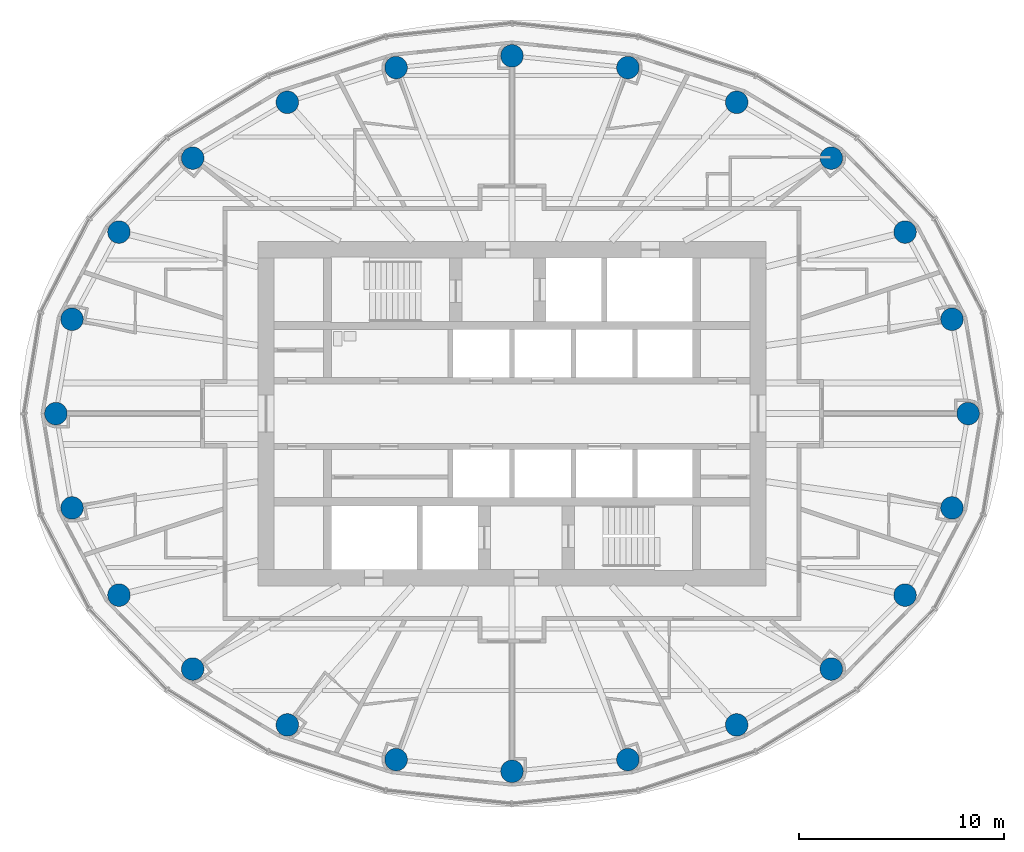
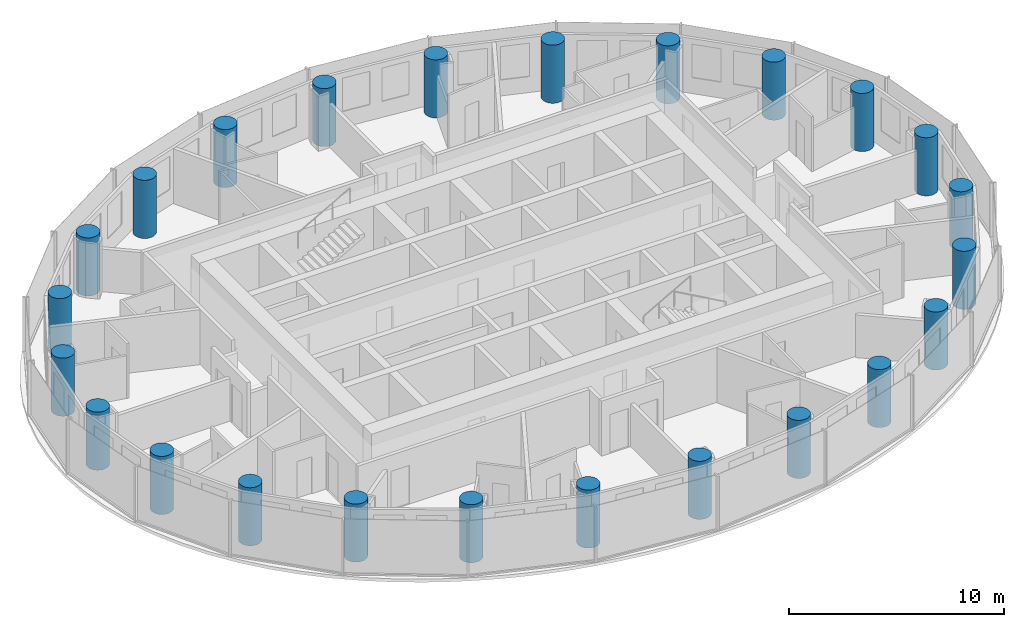
# One storey, part 1 of 16: 24 columns.
"""IFC4 building model written with IfcOpenShell, lengths in metres."""

from ifc_helpers import new_model, si_unit, direction, frame, origin, origin_2d, place, context, subcontext, project, spatial, circle, extrude, material, material_profile, profile_set, type_object, element, save


model = new_model("IFC4")

# Units and contexts
model_context = context("Model", 3, precision=1e-05, world=origin(), true_north=direction((0.0, 1.0)))
body_context = subcontext(model_context, "Body", "Model", "MODEL_VIEW")
ifc_project = project(units=[si_unit("LENGTHUNIT", "METRE"), si_unit("AREAUNIT", "SQUARE_METRE"), si_unit("VOLUMEUNIT", "CUBIC_METRE"), si_unit("PLANEANGLEUNIT", "RADIAN"), si_unit("MASSUNIT", "GRAM", prefix="KILO")], contexts=[model_context])

# Site, building, storey
site_placement = place(None, origin())
site = spatial("IfcSite", under=ifc_project, at=site_placement, CompositionType="ELEMENT")
building_placement = place(site_placement, origin())
building = spatial("IfcBuilding", under=site, at=building_placement, Name="Hankou Lantern Tower", CompositionType="ELEMENT")
storey_placement = place(building_placement, frame((0.0, 0.0, 150.0)))
storey = spatial("IfcBuildingStorey", under=building, at=storey_placement, Name="L39", CompositionType="ELEMENT", Elevation=150.0)

# Columns
ifc_material = material(Name="Concrete C50", Category="concrete")
ifc_material_profile = material_profile(ifc_material, circle(Radius=0.550048828125, at=origin_2d()), Name="RC D1100")
ifc_profile_set = profile_set([ifc_material_profile], Name="Concrete C50")
column_type = type_object("IfcColumnType", Name="TC4 PERIMETER COLUMN RC D1100", PredefinedType="COLUMN", material=ifc_profile_set)
for number, where, z_axis, x_axis, name in (
    (1, (22.25, 0.0, 0.0), (0.0, 0.0, 1.0), (1.0, 0.0, 0.0), "Column R01 L39"),
    (2, (21.462646484375, 4.600830078125, 0.0), (0.0, 0.0, 1.0), (1.0, 0.0, 0.0), "Column R02 L39"),
    (3, (19.172119140625, 8.855224609375, 0.0), (0.0, 0.0, 1.0), (1.0, 0.0, 0.0), "Column R03 L39"),
    (4, (15.576171875, 12.4609375, 0.0), (0.0, 0.0, 1.0), (1.0, 0.0, 0.0), "Column R04 L39"),
    (5, (10.959716796875, 15.186279296875, 0.0), (0.0, 0.0, 1.0), (1.0, 0.0, 0.0), "Column R05 L39"),
    (6, (5.65283203125, 16.87744140625, 0.0), (0.0, 0.0, 1.0), (1.0, 0.0, 0.0), "Column R06 L39"),
    (7, (0.0, 17.449951171875, 0.0), (0.0, 0.0, 1.0), (1.0, 0.0, 0.0), "Column R07 L39"),
    (8, (-5.65283203125, 16.87744140625, 0.0), (0.0, 0.0, 1.0), (1.0, 0.0, 0.0), "Column R08 L39"),
    (9, (-10.959716796875, 15.186279296875, 0.0), (0.0, 0.0, 1.0), (1.0, 0.0, 0.0), "Column R09 L39"),
    (10, (-15.576171875, 12.4609375, 0.0), (0.0, 0.0, 1.0), (1.0, 0.0, 0.0), "Column R10 L39"),
    (11, (-19.172119140625, 8.855224609375, 0.0), (0.0, 0.0, 1.0), (1.0, 0.0, 0.0), "Column R11 L39"),
    (12, (-21.462646484375, 4.600830078125, 0.0), (0.0, 0.0, 1.0), (1.0, 0.0, 0.0), "Column R12 L39"),
    (13, (-22.25, 0.0, 0.0), (0.0, 0.0, 1.0), (1.0, 0.0, 0.0), "Column R13 L39"),
    (14, (-21.462646484375, -4.600830078125, 0.0), (0.0, 0.0, 1.0), (1.0, 0.0, 0.0), "Column R14 L39"),
    (15, (-19.172119140625, -8.855224609375, 0.0), (0.0, 0.0, 1.0), (1.0, 0.0, 0.0), "Column R15 L39"),
    (16, (-15.576171875, -12.4609375, 0.0), (0.0, 0.0, 1.0), (1.0, 0.0, 0.0), "Column R16 L39"),
    (17, (-10.959716796875, -15.186279296875, 0.0), (0.0, 0.0, 1.0), (1.0, 0.0, 0.0), "Column R17 L39"),
    (18, (-5.65283203125, -16.87744140625, 0.0), (0.0, 0.0, 1.0), (1.0, 0.0, 0.0), "Column R18 L39"),
    (19, (0.0, -17.449951171875, 0.0), (0.0, 0.0, 1.0), (1.0, 0.0, 0.0), "Column R19 L39"),
    (20, (5.65283203125, -16.87744140625, 0.0), (0.0, 0.0, 1.0), (1.0, 0.0, 0.0), "Column R20 L39"),
    (21, (10.959716796875, -15.186279296875, 0.0), (0.0, 0.0, 1.0), (1.0, 0.0, 0.0), "Column R21 L39"),
    (22, (15.576171875, -12.4609375, 0.0), (0.0, 0.0, 1.0), (1.0, 0.0, 0.0), "Column R22 L39"),
    (23, (19.172119140625, -8.855224609375, 0.0), (0.0, 0.0, 1.0), (1.0, 0.0, 0.0), "Column R23 L39"),
    (24, (21.462646484375, -4.600830078125, 0.0), (0.0, 0.0, 1.0), (1.0, 0.0, 0.0), "Column R24 L39"),
):
    element("IfcColumn", number, at=place(storey_placement, frame(where, z_axis=z_axis, x_axis=x_axis)), inside=storey, type_object=column_type, Name=name, PredefinedType="COLUMN", context=body_context, shape_type="SweptSolid", body=[
        extrude(circle(Radius=0.550048828125, at=origin_2d()), origin(), (0.0, 0.0, 1.0), 3.300048828125),
    ])

save(model, "model.ifc")
